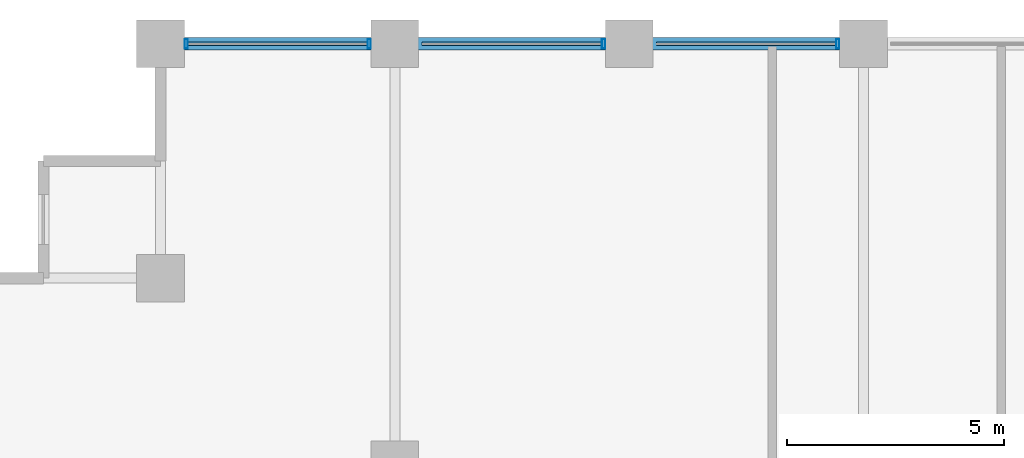
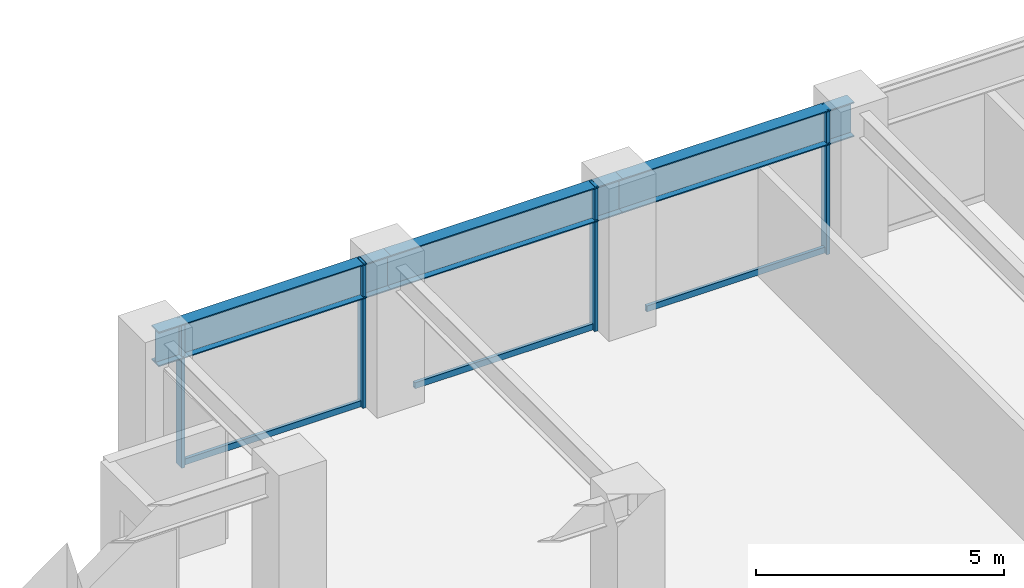
# One storey, part 12 of 25: 7 members, 3 beams, 1 element without a shape of its own.
"""IFC4 building model written with IfcOpenShell, lengths in metres."""

from ifc_helpers import new_model, si_unit, direction, frame, origin, origin_2d, place, context, subcontext, project, spatial, hollow_rectangle, i_section, extrude, material, layer, layer_set, material_profile, profile_set, type_object, element, aggregate, save


model = new_model("IFC4")

# Units and contexts
model_context = context("Model", 3, precision=1e-05, world=origin(), true_north=direction((0.0, 1.0)))
body_context = subcontext(model_context, "Body", "Model", "MODEL_VIEW")
ifc_project = project(units=[si_unit("LENGTHUNIT", "METRE"), si_unit("AREAUNIT", "SQUARE_METRE"), si_unit("VOLUMEUNIT", "CUBIC_METRE"), si_unit("PLANEANGLEUNIT", "RADIAN"), si_unit("MASSUNIT", "GRAM", prefix="KILO")], contexts=[model_context])

# Site, building, storey
site_placement = place(None, origin())
site = spatial("IfcSite", under=ifc_project, at=site_placement, CompositionType="ELEMENT")
building_placement = place(site_placement, origin())
building = spatial("IfcBuilding", under=site, at=building_placement, Name="Surkhivell Harbour Commons", CompositionType="ELEMENT")
storey_placement = place(building_placement, frame((0.0, 0.0, 124.5)))
storey = spatial("IfcBuildingStorey", under=building, at=storey_placement, Name="L32", CompositionType="ELEMENT", Elevation=124.5)

# Beams
ifc_material_1 = material(Name="Steel S460", Category="steel")
ifc_material_profile_1 = material_profile(ifc_material_1, i_section(OverallWidth=0.2939453125, OverallDepth=0.85107421875, WebThickness=0.01611328125, FlangeThickness=0.02685546875, at=origin_2d()), Name="UB838x292x226")
ifc_profile_set_1 = profile_set([ifc_material_profile_1], Name="Steel S460")
beam_type = type_object("IfcBeamType", Name="BM-SPN-838", PredefinedType="SPANDREL", material=ifc_profile_set_1)
beam_1_placement = place(storey_placement, frame((-27.0, 25.89990234375, 3.14453125), z_axis=(1.0, 0.0, 0.0), x_axis=(0.0, 1.0, 0.0)))
element("IfcBeam", 1, at=beam_1_placement, inside=storey, type_object=beam_type, Name="L32 Tube Spandrel (-27.0,25.9)", PredefinedType="SPANDREL", context=body_context, shape_type="SweptSolid", body=[
    extrude(i_section(OverallWidth=0.2939453125, OverallDepth=0.85107421875, WebThickness=0.01611328125, FlangeThickness=0.02685546875, at=origin_2d()), origin(), (0.0, 0.0, 1.0), 5.39990234375),
])
beam_2_placement = place(storey_placement, frame((-21.60009765625, 25.89990234375, 3.14453125), z_axis=(1.0, 0.0, 0.0), x_axis=(0.0, 1.0, 0.0)))
element("IfcBeam", 2, at=beam_2_placement, inside=storey, type_object=beam_type, Name="L32 Tube Spandrel (-21.6,25.9)", PredefinedType="SPANDREL", context=body_context, shape_type="SweptSolid", body=[
    extrude(i_section(OverallWidth=0.2939453125, OverallDepth=0.85107421875, WebThickness=0.01611328125, FlangeThickness=0.02685546875, at=origin_2d()), origin(), (0.0, 0.0, 1.0), 5.400146484375),
])
beam_3_placement = place(storey_placement, frame((-16.199951171875, 25.89990234375, 3.14453125), z_axis=(1.0, 0.0, 0.0), x_axis=(0.0, 1.0, 0.0)))
element("IfcBeam", 3, at=beam_3_placement, inside=storey, type_object=beam_type, Name="L32 Tube Spandrel (-16.2,25.9)", PredefinedType="SPANDREL", context=body_context, shape_type="SweptSolid", body=[
    extrude(i_section(OverallWidth=0.2939453125, OverallDepth=0.85107421875, WebThickness=0.01611328125, FlangeThickness=0.02685546875, at=origin_2d()), origin(), (0.0, 0.0, 1.0), 5.39990234375),
])

# Curtain wall, members
ifc_material_2 = material(Name="Anodised pale-metal aluminium and insulated glazing", Category="aluminium")
ifc_layer = layer(ifc_material_2, 0.205078125)
ifc_layer_set = layer_set([ifc_layer], Name="Anodised pale-metal aluminium and insulated glazing")
curtain_wall_type = type_object("IfcCurtainWallType", Name="CW-SYS-Z2", PredefinedType="NOTDEFINED", material=ifc_layer_set)
curtain_wall_placement = place(storey_placement, origin())
curtain_wall = element("IfcCurtainWall", 4, at=curtain_wall_placement, inside=storey, type_object=curtain_wall_type, Name="L32 Curtain Wall CW-L32-E07S2", PredefinedType="NOTDEFINED")
ifc_material_3 = material(Name="Anodised pale-metal aluminium alloy 6063-T6", Category="aluminium")
ifc_material_profile_2 = material_profile(ifc_material_3, hollow_rectangle(XDim=0.074951171875, YDim=0.219970703125, WallThickness=0.00390625, at=origin_2d()), Name="ALU-MULL-75x220")
ifc_profile_set_2 = profile_set([ifc_material_profile_2], Name="Anodised pale-metal aluminium alloy 6063-T6")
member_type_1 = type_object("IfcMemberType", Name="CWM-220", PredefinedType="MULLION", material=ifc_profile_set_2)
member_1_placement = place(storey_placement, frame((-11.389404296875, 25.89990234375, 0.0), z_axis=(0.0, 0.0, 1.0), x_axis=(-1.0, 0.0, 0.0)))
member_1 = element("IfcMember", 5, at=member_1_placement, type_object=member_type_1, Name="CW-Z2 mullion 2", PredefinedType="MULLION", context=body_context, shape_type="SweptSolid", body=[
    extrude(hollow_rectangle(XDim=0.074951171875, YDim=0.219970703125, WallThickness=0.00390625, at=origin_2d()), origin(), (0.0, 0.0, 1.0), 3.570068359375),
])
member_2_placement = place(storey_placement, frame((-16.78955078125, 25.89990234375, 0.0), z_axis=(0.0, 0.0, 1.0), x_axis=(-1.0, 0.0, 0.0)))
member_2 = element("IfcMember", 6, at=member_2_placement, type_object=member_type_1, Name="CW-Z2 mullion 3", PredefinedType="MULLION", context=body_context, shape_type="SweptSolid", body=[
    extrude(hollow_rectangle(XDim=0.074951171875, YDim=0.219970703125, WallThickness=0.00390625, at=origin_2d()), origin(), (0.0, 0.0, 1.0), 3.570068359375),
])
member_3_placement = place(storey_placement, frame((-22.189453125, 25.89990234375, 0.0), z_axis=(0.0, 0.0, 1.0), x_axis=(-1.0, 0.0, 0.0)))
member_3 = element("IfcMember", 7, at=member_3_placement, type_object=member_type_1, Name="CW-Z2 mullion 4", PredefinedType="MULLION", context=body_context, shape_type="SweptSolid", body=[
    extrude(hollow_rectangle(XDim=0.074951171875, YDim=0.219970703125, WallThickness=0.00390625, at=origin_2d()), origin(), (0.0, 0.0, 1.0), 3.570068359375),
])
member_4_placement = place(storey_placement, frame((-26.410400390625, 25.89990234375, 0.0), z_axis=(0.0, 0.0, 1.0), x_axis=(-1.0, 0.0, 0.0)))
member_4 = element("IfcMember", 8, at=member_4_placement, type_object=member_type_1, Name="CW-Z2 mullion 5", PredefinedType="MULLION", context=body_context, shape_type="SweptSolid", body=[
    extrude(hollow_rectangle(XDim=0.074951171875, YDim=0.219970703125, WallThickness=0.00390625, at=origin_2d()), origin(), (0.0, 0.0, 1.0), 3.570068359375),
])
ifc_material_profile_3 = material_profile(ifc_material_3, hollow_rectangle(XDim=0.074951171875, YDim=0.14990234375, WallThickness=0.00341796875, at=origin_2d()), Name="ALU-TRAN-75x150")
ifc_profile_set_3 = profile_set([ifc_material_profile_3], Name="Anodised pale-metal aluminium alloy 6063-T6")
member_type_2 = type_object("IfcMemberType", Name="CWT-150", PredefinedType="USERDEFINED", material=ifc_profile_set_3)
member_5_placement = place(storey_placement, frame((-11.427001953125, 25.89990234375, 0.074951171875), z_axis=(-1.0, 0.0, 0.0), x_axis=(0.0, -1.0, 0.0)))
member_5 = element("IfcMember", 9, at=member_5_placement, type_object=member_type_2, Name="CW-Z2 transom 2.1", ObjectType="TRANSOM", PredefinedType="USERDEFINED", context=body_context, shape_type="SweptSolid", body=[
    extrude(hollow_rectangle(XDim=0.074951171875, YDim=0.14990234375, WallThickness=0.00341796875, at=origin_2d()), origin(), (0.0, 0.0, 1.0), 4.14599609375),
])
member_6_placement = place(storey_placement, frame((-16.826904296875, 25.89990234375, 0.074951171875), z_axis=(-1.0, 0.0, 0.0), x_axis=(0.0, -1.0, 0.0)))
member_6 = element("IfcMember", 10, at=member_6_placement, type_object=member_type_2, Name="CW-Z2 transom 3.1", ObjectType="TRANSOM", PredefinedType="USERDEFINED", context=body_context, shape_type="SweptSolid", body=[
    extrude(hollow_rectangle(XDim=0.074951171875, YDim=0.14990234375, WallThickness=0.00341796875, at=origin_2d()), origin(), (0.0, 0.0, 1.0), 4.14599609375),
])
member_7_placement = place(storey_placement, frame((-22.22705078125, 25.89990234375, 0.074951171875), z_axis=(-1.0, 0.0, 0.0), x_axis=(0.0, -1.0, 0.0)))
member_7 = element("IfcMember", 11, at=member_7_placement, type_object=member_type_2, Name="CW-Z2 transom 4.1", ObjectType="TRANSOM", PredefinedType="USERDEFINED", context=body_context, shape_type="SweptSolid", body=[
    extrude(hollow_rectangle(XDim=0.074951171875, YDim=0.14990234375, WallThickness=0.00341796875, at=origin_2d()), origin(), (0.0, 0.0, 1.0), 4.14599609375),
])
aggregate(curtain_wall, [member_1, member_5, member_2, member_6, member_3, member_4, member_7])

save(model, "model.ifc")
